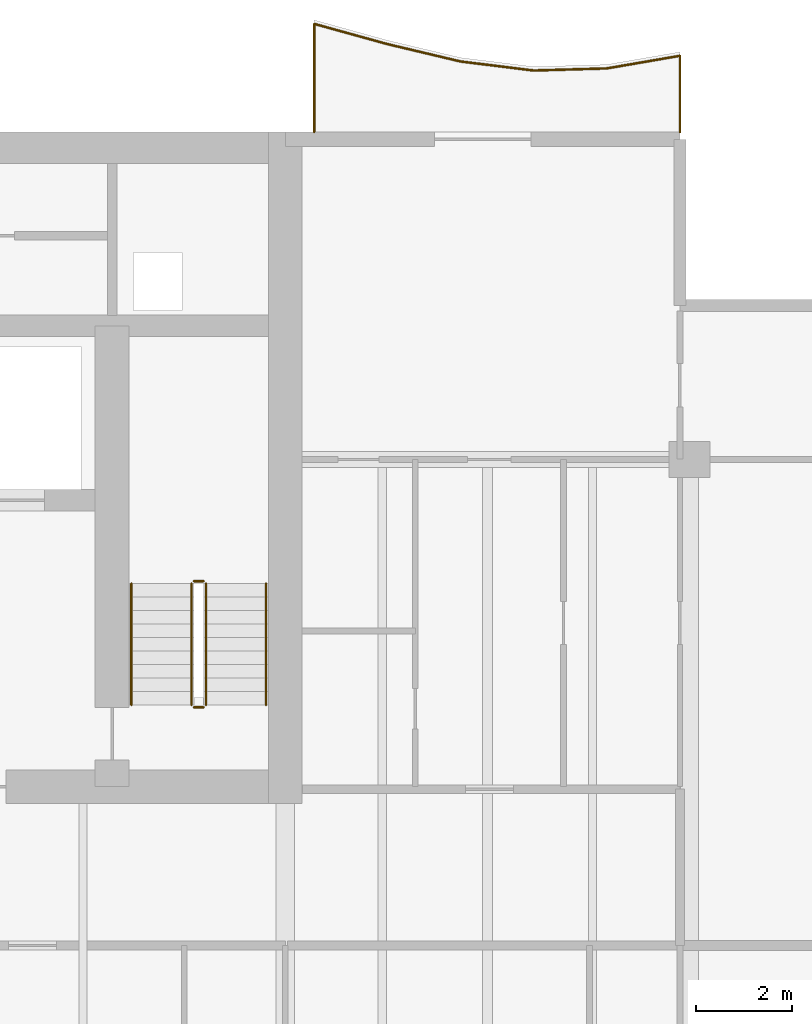
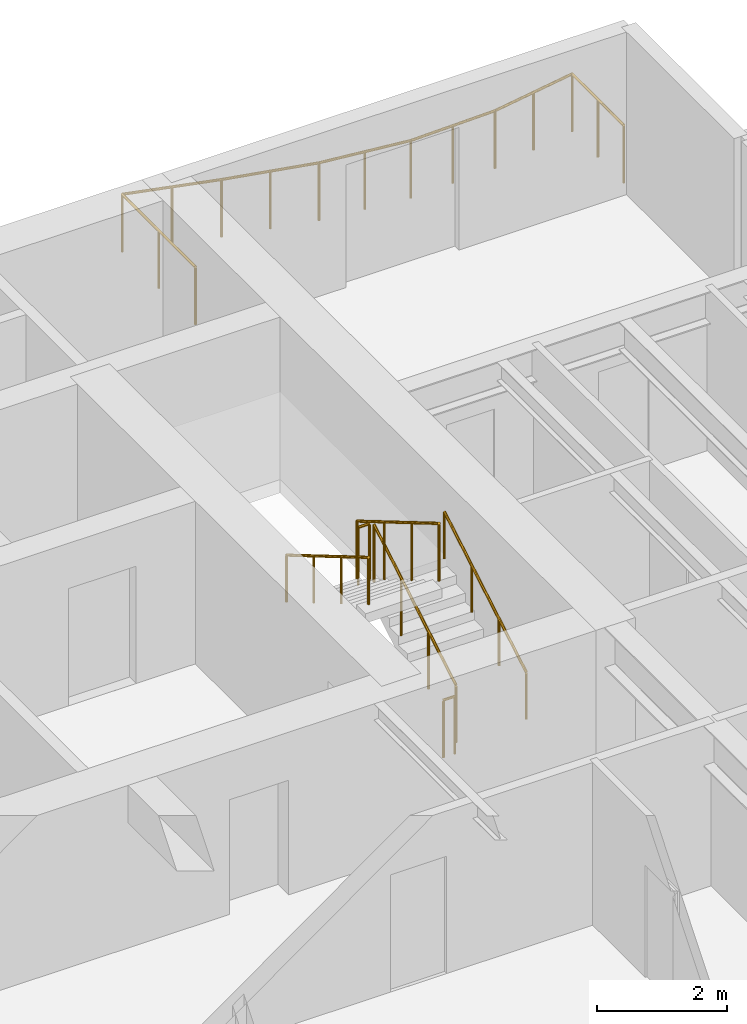
# One storey, part 18 of 19: 7 railings.
"""IFC4 building model written with IfcOpenShell, lengths in metres."""

from ifc_helpers import new_model, si_unit, direction, frame, origin, origin_2d, place, context, subcontext, project, spatial, circle, extrude, material, type_object, element, save


model = new_model("IFC4")

# Units and contexts
model_context = context("Model", 3, precision=1e-05, world=origin(), true_north=direction((0.0, 1.0)))
body_context = subcontext(model_context, "Body", "Model", "MODEL_VIEW")
ifc_project = project(units=[si_unit("LENGTHUNIT", "METRE"), si_unit("AREAUNIT", "SQUARE_METRE"), si_unit("VOLUMEUNIT", "CUBIC_METRE"), si_unit("PLANEANGLEUNIT", "RADIAN"), si_unit("MASSUNIT", "GRAM", prefix="KILO")], contexts=[model_context])

# Site, building, storey
site_placement = place(None, origin())
site = spatial("IfcSite", under=ifc_project, at=site_placement, CompositionType="ELEMENT")
building_placement = place(site_placement, origin())
building = spatial("IfcBuilding", under=site, at=building_placement, Name="Caelmar Bay Residences", CompositionType="ELEMENT")
storey_placement = place(building_placement, frame((0.0, 0.0, 163.800048828125)))
storey = spatial("IfcBuildingStorey", under=building, at=storey_placement, Name="L45", CompositionType="ELEMENT", Elevation=163.800048828125)

# Railings
ifc_material_1 = material(Name="Anodised bronze handrail with laminated hurricane glass infill", Category="glass")
railing_type_1 = type_object("IfcRailingType", Name="RL-BAL-1100", PredefinedType="BALUSTRADE", material=ifc_material_1)
railing_1_placement = place(storey_placement, frame((67.699951171875, 50.60009765625, 0.0)))
element("IfcRailing", 1, at=railing_1_placement, inside=storey, type_object=railing_type_1, Name="L45 north_east Balcony Balustrade", PredefinedType="BALUSTRADE", context=body_context, shape_type="SweptSolid", body=[
    extrude(circle(Radius=0.02392578125, at=origin_2d()), frame((0.0, 0.0, 1.076171875), z_axis=(0.0, 1.0, 0.0), x_axis=(-1.0, 0.0, 0.0)), (0.0, 0.0, 1.0), 1.588134765625),
    extrude(circle(Radius=0.02392578125, at=origin_2d()), frame((0.0, 1.588134765625, 1.076171875), z_axis=(-0.985445490472, -0.169991721293, 0.0), x_axis=(0.169991721293, -0.985445490472, 0.0)), (0.0, 0.0, 1.0), 1.54248046875),
    extrude(circle(Radius=0.02392578125, at=origin_2d()), frame((-1.52001953125, 1.325927734375, 1.076171875), z_axis=(-0.999582338318, -0.028898943286, 0.0), x_axis=(0.028898943286, -0.999582338318, 0.0)), (0.0, 0.0, 1.0), 1.520751953125),
    extrude(circle(Radius=0.02392578125, at=origin_2d()), frame((-3.0400390625, 1.281982421875, 1.076171875), z_axis=(-0.992419457445, 0.122896787936, 0.0), x_axis=(-0.122896787936, -0.992419457445, 0.0)), (0.0, 0.0, 1.0), 1.53173828125),
    extrude(circle(Radius=0.02392578125, at=origin_2d()), frame((-4.56005859375, 1.47021484375, 1.076171875), z_axis=(-0.972916782402, 0.231155649987, 0.0), x_axis=(-0.231155649987, -0.972916782402, 0.0)), (0.0, 0.0, 1.0), 1.56201171875),
    extrude(circle(Radius=0.02392578125, at=origin_2d()), frame((-6.079833984375, 1.831298828125, 1.076171875), z_axis=(-0.96381450531, 0.266573815956, 0.0), x_axis=(-0.266573815956, -0.96381450531, 0.0)), (0.0, 0.0, 1.0), 1.5771484375),
    extrude(circle(Radius=0.02392578125, at=origin_2d()), frame((-7.599853515625, 2.251708984375, 1.076171875), z_axis=(0.0, -1.0, 0.0), x_axis=(1.0, 0.0, 0.0)), (0.0, 0.0, 1.0), 2.251708984375),
    extrude(circle(Radius=0.02099609375, at=origin_2d()), origin(), (0.0, 0.0, 1.0), 1.052001953125),
    extrude(circle(Radius=0.02099609375, at=origin_2d()), frame((0.0, 0.7939453125, 0.0)), (0.0, 0.0, 1.0), 1.052001953125),
    extrude(circle(Radius=0.02099609375, at=origin_2d()), frame((0.0, 1.588134765625, 0.0)), (0.0, 0.0, 1.0), 1.052001953125),
    extrude(circle(Radius=0.02099609375, at=origin_2d()), frame((-0.760009765625, 1.45703125, 0.0)), (0.0, 0.0, 1.0), 1.052001953125),
    extrude(circle(Radius=0.02099609375, at=origin_2d()), frame((-1.52001953125, 1.325927734375, 0.0)), (0.0, 0.0, 1.0), 1.052001953125),
    extrude(circle(Radius=0.02099609375, at=origin_2d()), frame((-2.280029296875, 1.303955078125, 0.0)), (0.0, 0.0, 1.0), 1.052001953125),
    extrude(circle(Radius=0.02099609375, at=origin_2d()), frame((-3.0400390625, 1.281982421875, 0.0)), (0.0, 0.0, 1.0), 1.052001953125),
    extrude(circle(Radius=0.02099609375, at=origin_2d()), frame((-3.800048828125, 1.3759765625, 0.0)), (0.0, 0.0, 1.0), 1.052001953125),
    extrude(circle(Radius=0.02099609375, at=origin_2d()), frame((-4.56005859375, 1.47021484375, 0.0)), (0.0, 0.0, 1.0), 1.052001953125),
    extrude(circle(Radius=0.02099609375, at=origin_2d()), frame((-5.31982421875, 1.65087890625, 0.0)), (0.0, 0.0, 1.0), 1.052001953125),
    extrude(circle(Radius=0.02099609375, at=origin_2d()), frame((-6.079833984375, 1.831298828125, 0.0)), (0.0, 0.0, 1.0), 1.052001953125),
    extrude(circle(Radius=0.02099609375, at=origin_2d()), frame((-6.83984375, 2.04150390625, 0.0)), (0.0, 0.0, 1.0), 1.052001953125),
    extrude(circle(Radius=0.02099609375, at=origin_2d()), frame((-7.599853515625, 2.251708984375, 0.0)), (0.0, 0.0, 1.0), 1.052001953125),
    extrude(circle(Radius=0.02099609375, at=origin_2d()), frame((-7.599853515625, 1.1259765625, 0.0)), (0.0, 0.0, 1.0), 1.052001953125),
    extrude(circle(Radius=0.02099609375, at=origin_2d()), frame((-7.599853515625, 0.0, 0.0)), (0.0, 0.0, 1.0), 1.052001953125),
])
ifc_material_2 = material(Name="Painted galvanized steel stair guard 1100 mm", Category="steel")
railing_type_2 = type_object("IfcRailingType", Name="RL-GRD-1100", PredefinedType="GUARDRAIL", material=ifc_material_2)
railing_2_placement = place(storey_placement, frame((57.85009765625, 38.699951171875, 0.1650390625)))
element("IfcRailing", 2, at=railing_2_placement, inside=storey, type_object=railing_type_2, Name="L45 ST2 stair guard 1", PredefinedType="GUARDRAIL", context=body_context, shape_type="SweptSolid", body=[
    extrude(circle(Radius=0.02392578125, at=origin_2d()), frame((0.0, 0.0, 1.076171875), z_axis=(0.0, 0.861560626758, 0.507654692109), x_axis=(-1.0, 0.0, 0.0)), (0.0, 0.0, 1.0), 2.925048828125),
    extrude(circle(Radius=0.02099609375, at=origin_2d()), origin(), (0.0, 0.0, 1.0), 1.052001953125),
    extrude(circle(Radius=0.02099609375, at=origin_2d()), frame((0.0, 0.840087890625, 0.494873046875)), (0.0, 0.0, 1.0), 1.052001953125),
    extrude(circle(Radius=0.02099609375, at=origin_2d()), frame((0.0, 1.679931640625, 0.989990234375)), (0.0, 0.0, 1.0), 1.052001953125),
    extrude(circle(Radius=0.02099609375, at=origin_2d()), frame((0.0, 2.52001953125, 1.48486328125)), (0.0, 0.0, 1.0), 1.052001953125),
])
railing_3_placement = place(storey_placement, frame((57.800048828125, 41.27001953125, 1.64990234375)))
element("IfcRailing", 3, at=railing_3_placement, inside=storey, type_object=railing_type_2, Name="L45 ST2 stair guard 2", PredefinedType="GUARDRAIL", context=body_context, shape_type="SweptSolid", body=[
    extrude(circle(Radius=0.02392578125, at=origin_2d()), frame((0.0, 0.0, 1.076171875), z_axis=(-1.0, 0.0, 0.0), x_axis=(0.0, -1.0, 0.0)), (0.0, 0.0, 1.0), 0.199951171875),
    extrude(circle(Radius=0.02099609375, at=origin_2d()), origin(), (0.0, 0.0, 1.0), 1.052001953125),
    extrude(circle(Radius=0.02099609375, at=origin_2d()), frame((-0.199951171875, 0.0, 0.0)), (0.0, 0.0, 1.0), 1.052001953125),
])
railing_4_placement = place(storey_placement, frame((57.550048828125, 41.219970703125, 1.81494140625)))
element("IfcRailing", 4, at=railing_4_placement, inside=storey, type_object=railing_type_2, Name="L45 ST2 stair guard 3", PredefinedType="GUARDRAIL", context=body_context, shape_type="SweptSolid", body=[
    extrude(circle(Radius=0.02392578125, at=origin_2d()), frame((0.0, 0.0, 1.076171875), z_axis=(0.0, -0.86152411907, 0.507716645641), x_axis=(1.0, 0.0, 0.0)), (0.0, 0.0, 1.0), 2.925048828125),
    extrude(circle(Radius=0.02099609375, at=origin_2d()), origin(), (0.0, 0.0, 1.0), 1.052001953125),
    extrude(circle(Radius=0.02099609375, at=origin_2d()), frame((0.0, -0.840087890625, 0.4951171875)), (0.0, 0.0, 1.0), 1.052001953125),
    extrude(circle(Radius=0.02099609375, at=origin_2d()), frame((0.0, -1.679931640625, 0.989990234375)), (0.0, 0.0, 1.0), 1.052001953125),
    extrude(circle(Radius=0.02099609375, at=origin_2d()), frame((0.0, -2.52001953125, 1.485107421875)), (0.0, 0.0, 1.0), 1.052001953125),
])
railing_5_placement = place(storey_placement, frame((57.800048828125, 38.64990234375, 0.0)))
element("IfcRailing", 5, at=railing_5_placement, inside=storey, type_object=railing_type_2, Name="L45 ST2 stair guard 4", PredefinedType="GUARDRAIL", context=body_context, shape_type="SweptSolid", body=[
    extrude(circle(Radius=0.02392578125, at=origin_2d()), frame((0.0, 0.0, 1.076171875), z_axis=(-1.0, 0.0, 0.0), x_axis=(0.0, -1.0, 0.0)), (0.0, 0.0, 1.0), 0.199951171875),
    extrude(circle(Radius=0.02099609375, at=origin_2d()), origin(), (0.0, 0.0, 1.0), 1.052001953125),
    extrude(circle(Radius=0.02099609375, at=origin_2d()), frame((-0.199951171875, 0.0, 0.0)), (0.0, 0.0, 1.0), 1.052001953125),
])
ifc_material_3 = material(Name="Brushed bronze stainless-steel tubular handrail 900 mm", Category="steel")
railing_type_3 = type_object("IfcRailingType", Name="RL-HND-900", PredefinedType="HANDRAIL", material=ifc_material_3)
railing_6_placement = place(storey_placement, frame((59.10009765625, 38.699951171875, 0.1650390625)))
element("IfcRailing", 6, at=railing_6_placement, inside=storey, type_object=railing_type_3, Name="L45 ST2 stair handrail 1", PredefinedType="HANDRAIL", context=body_context, shape_type="SweptSolid", body=[
    extrude(circle(Radius=0.02392578125, at=origin_2d()), frame((0.0, 0.0, 0.8759765625), z_axis=(0.0, 0.861560626758, 0.507654692109), x_axis=(-1.0, 0.0, 0.0)), (0.0, 0.0, 1.0), 2.925048828125),
    extrude(circle(Radius=0.02099609375, at=origin_2d()), origin(), (0.0, 0.0, 1.0), 0.851806640625),
    extrude(circle(Radius=0.02099609375, at=origin_2d()), frame((0.0, 0.840087890625, 0.494873046875)), (0.0, 0.0, 1.0), 0.851806640625),
    extrude(circle(Radius=0.02099609375, at=origin_2d()), frame((0.0, 1.679931640625, 0.989990234375)), (0.0, 0.0, 1.0), 0.851806640625),
    extrude(circle(Radius=0.02099609375, at=origin_2d()), frame((0.0, 2.52001953125, 1.48486328125)), (0.0, 0.0, 1.0), 0.851806640625),
])
railing_7_placement = place(storey_placement, frame((56.300048828125, 41.219970703125, 1.81494140625)))
element("IfcRailing", 7, at=railing_7_placement, inside=storey, type_object=railing_type_3, Name="L45 ST2 stair handrail 2", PredefinedType="HANDRAIL", context=body_context, shape_type="SweptSolid", body=[
    extrude(circle(Radius=0.02392578125, at=origin_2d()), frame((0.0, 0.0, 0.8759765625), z_axis=(0.0, -0.86152411907, 0.507716645641), x_axis=(1.0, 0.0, 0.0)), (0.0, 0.0, 1.0), 2.925048828125),
    extrude(circle(Radius=0.02099609375, at=origin_2d()), origin(), (0.0, 0.0, 1.0), 0.851806640625),
    extrude(circle(Radius=0.02099609375, at=origin_2d()), frame((0.0, -0.840087890625, 0.4951171875)), (0.0, 0.0, 1.0), 0.851806640625),
    extrude(circle(Radius=0.02099609375, at=origin_2d()), frame((0.0, -1.679931640625, 0.989990234375)), (0.0, 0.0, 1.0), 0.851806640625),
    extrude(circle(Radius=0.02099609375, at=origin_2d()), frame((0.0, -2.52001953125, 1.485107421875)), (0.0, 0.0, 1.0), 0.851806640625),
])

save(model, "model.ifc")
